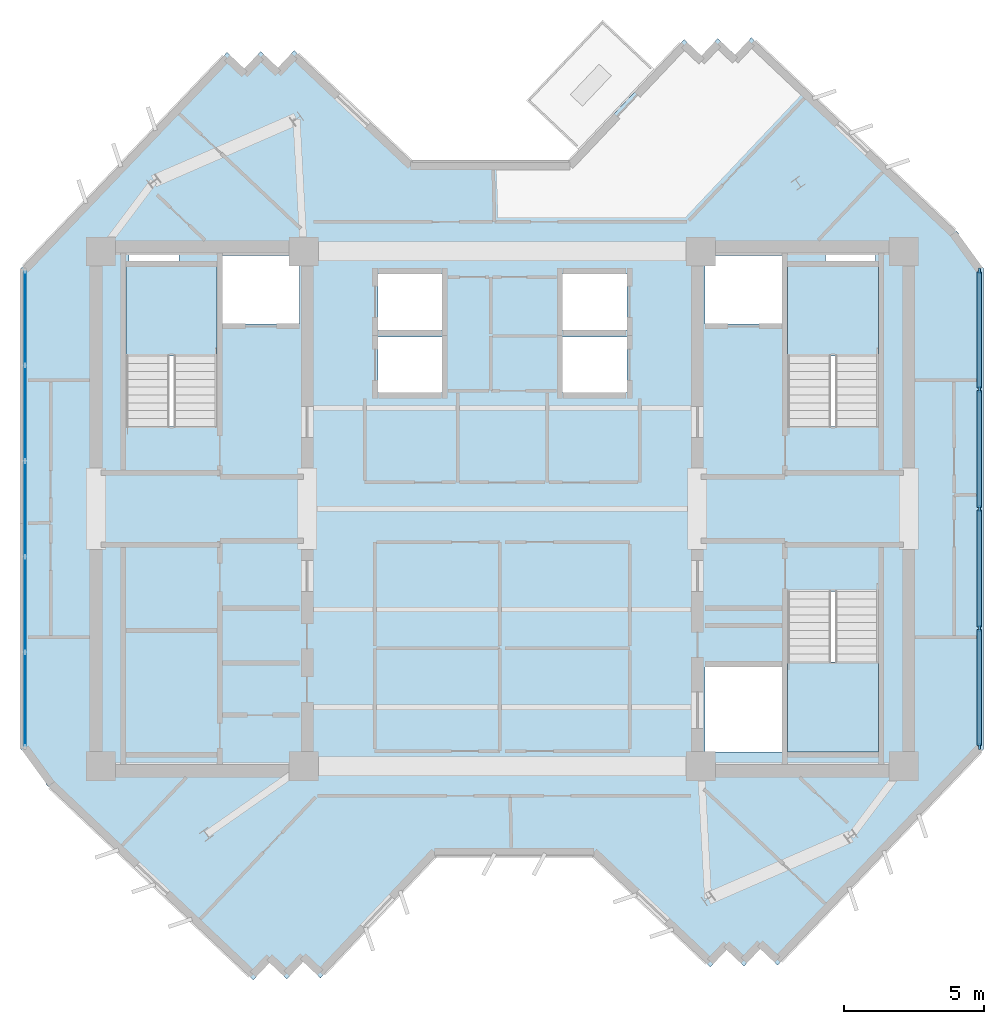
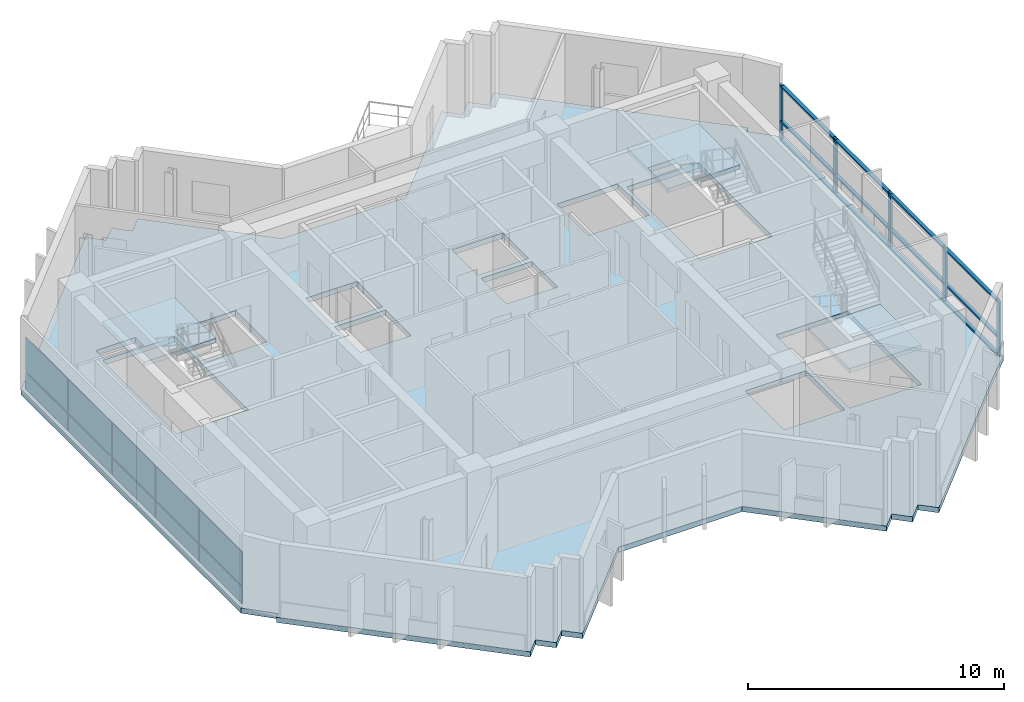
# One storey, part 2 of 9: 17 members, 10 plates, 4 slabs, 5 elements without a shape of their own.
"""IFC4 building model written with IfcOpenShell, lengths in metres."""

from ifc_helpers import new_model, si_unit, direction, frame, origin, origin_2d, place, context, subcontext, project, spatial, polyline, rectangle, outline, extrude, source, transform, mapped, material, layer, layer_set, material_profile, profile_set, type_object, element, aggregate, save


model = new_model("IFC4")

# Units and contexts
model_context = context("Model", 3, precision=1e-05, world=origin(), true_north=direction((0.0, 1.0)))
body_context = subcontext(model_context, "Body", "Model", "MODEL_VIEW")
ifc_project = project(units=[si_unit("LENGTHUNIT", "METRE"), si_unit("AREAUNIT", "SQUARE_METRE"), si_unit("VOLUMEUNIT", "CUBIC_METRE"), si_unit("PLANEANGLEUNIT", "RADIAN"), si_unit("MASSUNIT", "GRAM", prefix="KILO")], contexts=[model_context])

# Site, building, storey
site_placement = place(None, origin())
site = spatial("IfcSite", under=ifc_project, at=site_placement, CompositionType="ELEMENT")
building_placement = place(site_placement, origin())
building = spatial("IfcBuilding", under=site, at=building_placement, Name="Zahravan Cultural Tower", CompositionType="ELEMENT")
storey_placement = place(building_placement, frame((0.0, 0.0, 306.60009765625)))
storey = spatial("IfcBuildingStorey", under=building, at=storey_placement, Name="L74", CompositionType="ELEMENT", Elevation=306.60009765625)

# Curtain wall, members
ifc_material_1 = material(Name="Anodised bronze-aluminium mullion", Category="aluminium")
ifc_layer_1 = layer(ifc_material_1, 0.219970703125)
ifc_layer_set_1 = layer_set([ifc_layer_1], Name="Anodised bronze-aluminium mullion")
curtain_wall_type_1 = type_object("IfcCurtainWallType", Name="CW-SYS-1", PredefinedType="USERDEFINED", material=ifc_layer_set_1)
curtain_wall_1_placement = place(storey_placement, origin())
curtain_wall_1 = element("IfcCurtainWall", 1, at=curtain_wall_1_placement, inside=storey, type_object=curtain_wall_type_1, Name="L74 Recessed Curtain Wall CW-1.1", ObjectType="RECESSED GLAZING", PredefinedType="USERDEFINED")
ifc_material_profile_1 = material_profile(ifc_material_1, rectangle(XDim=0.080078125, YDim=0.219970703125, at=origin_2d()), Name="AL-M80X220")
ifc_profile_set_1 = profile_set([ifc_material_profile_1], Name="Anodised bronze-aluminium mullion")
member_type_1 = type_object("IfcMemberType", Name="CWM-CW-1", PredefinedType="MULLION", material=ifc_profile_set_1)
shared_shape_1 = source(origin(), body_context, "Body", "SweptSolid", [
    extrude(rectangle(XDim=0.080078125, YDim=0.219970703125, at=origin_2d()), origin(), (0.0, 0.0, 1.0), 2.619873046875),
])
member_1_placement = place(storey_placement, frame((53.06005859375, 35.501953125, 0.0), z_axis=(0.0, 0.0, 1.0), x_axis=(1.0, 0.0, 0.0)))
member_1 = element("IfcMember", 2, at=member_1_placement, type_object=member_type_1, Name="CW-1 mullion 1", PredefinedType="MULLION", context=body_context, shape_type="MappedRepresentation", body=[
    mapped(shared_shape_1, transform((0.0, 0.0, 0.0), x_axis=(1.0, 0.0, 0.0), y_axis=(0.0, 1.0, 0.0), z_axis=(0.0, 0.0, 1.0), scale=1.0)),
])
member_2_placement = place(storey_placement, frame((53.06005859375, 31.27099609375, 0.0), z_axis=(0.0, 0.0, 1.0), x_axis=(1.0, 0.0, 0.0)))
member_2 = element("IfcMember", 3, at=member_2_placement, type_object=member_type_1, Name="CW-1 mullion 2", PredefinedType="MULLION", context=body_context, shape_type="MappedRepresentation", body=[
    mapped(shared_shape_1, transform((0.0, 0.0, 0.0), x_axis=(1.0, 0.0, 0.0), y_axis=(0.0, 1.0, 0.0), z_axis=(0.0, 0.0, 1.0), scale=1.0)),
])
member_3_placement = place(storey_placement, frame((53.06005859375, 27.0, 0.0), z_axis=(0.0, 0.0, 1.0), x_axis=(1.0, 0.0, 0.0)))
member_3 = element("IfcMember", 4, at=member_3_placement, type_object=member_type_1, Name="CW-1 mullion 3", PredefinedType="MULLION", context=body_context, shape_type="MappedRepresentation", body=[
    mapped(shared_shape_1, transform((0.0, 0.0, 0.0), x_axis=(1.0, 0.0, 0.0), y_axis=(0.0, 1.0, 0.0), z_axis=(0.0, 0.0, 1.0), scale=1.0)),
])
member_4_placement = place(storey_placement, frame((53.06005859375, 22.72900390625, 0.0), z_axis=(0.0, 0.0, 1.0), x_axis=(1.0, 0.0, 0.0)))
member_4 = element("IfcMember", 5, at=member_4_placement, type_object=member_type_1, Name="CW-1 mullion 4", PredefinedType="MULLION", context=body_context, shape_type="MappedRepresentation", body=[
    mapped(shared_shape_1, transform((0.0, 0.0, 0.0), x_axis=(1.0, 0.0, 0.0), y_axis=(0.0, 1.0, 0.0), z_axis=(0.0, 0.0, 1.0), scale=1.0)),
])
member_5_placement = place(storey_placement, frame((53.06005859375, 18.498046875, 0.0), z_axis=(0.0, 0.0, 1.0), x_axis=(1.0, 0.0, 0.0)))
member_5 = element("IfcMember", 6, at=member_5_placement, type_object=member_type_1, Name="CW-1 mullion 5", PredefinedType="MULLION", context=body_context, shape_type="MappedRepresentation", body=[
    mapped(shared_shape_1, transform((0.0, 0.0, 0.0), x_axis=(1.0, 0.0, 0.0), y_axis=(0.0, 1.0, 0.0), z_axis=(0.0, 0.0, 1.0), scale=1.0)),
])
ifc_material_profile_2 = material_profile(ifc_material_1, rectangle(XDim=0.159912109375, YDim=0.080078125, at=origin_2d()), Name="AL-T80X160")
ifc_profile_set_2 = profile_set([ifc_material_profile_2], Name="Anodised bronze-aluminium mullion")
member_type_2 = type_object("IfcMemberType", Name="CWT-CW-1", PredefinedType="USERDEFINED", material=ifc_profile_set_2)
shared_shape_2 = source(origin(), body_context, "Body", "SweptSolid", [
    extrude(rectangle(XDim=0.159912109375, YDim=0.080078125, at=origin_2d()), origin(), (0.0, 0.0, 1.0), 4.15087890625),
])
member_6_placement = place(storey_placement, frame((53.06005859375, 35.4619140625, 0.039794921875), z_axis=(0.0, -1.0, 0.0), x_axis=(1.0, 0.0, 0.0)))
member_6 = element("IfcMember", 7, at=member_6_placement, type_object=member_type_2, Name="CW-1 transom 1.1", ObjectType="TRANSOM", PredefinedType="USERDEFINED", context=body_context, shape_type="MappedRepresentation", body=[
    mapped(shared_shape_2, transform((0.0, 0.0, 0.0), x_axis=(1.0, 0.0, 0.0), y_axis=(0.0, 1.0, 0.0), z_axis=(0.0, 0.0, 1.0), scale=1.0)),
])
member_7_placement = place(storey_placement, frame((53.06005859375, 35.4619140625, 0.89990234375), z_axis=(0.0, -1.0, 0.0), x_axis=(1.0, 0.0, 0.0)))
member_7 = element("IfcMember", 8, at=member_7_placement, type_object=member_type_2, Name="CW-1 transom 1.2", ObjectType="TRANSOM", PredefinedType="USERDEFINED", context=body_context, shape_type="MappedRepresentation", body=[
    mapped(shared_shape_2, transform((0.0, 0.0, 0.0), x_axis=(1.0, 0.0, 0.0), y_axis=(0.0, 1.0, 0.0), z_axis=(0.0, 0.0, 1.0), scale=1.0)),
])
member_8_placement = place(storey_placement, frame((53.06005859375, 35.4619140625, 2.579833984375), z_axis=(0.0, -1.0, 0.0), x_axis=(1.0, 0.0, 0.0)))
member_8 = element("IfcMember", 9, at=member_8_placement, type_object=member_type_2, Name="CW-1 transom 1.3", ObjectType="TRANSOM", PredefinedType="USERDEFINED", context=body_context, shape_type="MappedRepresentation", body=[
    mapped(shared_shape_2, transform((0.0, 0.0, 0.0), x_axis=(1.0, 0.0, 0.0), y_axis=(0.0, 1.0, 0.0), z_axis=(0.0, 0.0, 1.0), scale=1.0)),
])
member_9_placement = place(storey_placement, frame((53.06005859375, 22.68896484375, 0.039794921875), z_axis=(0.0, -1.0, 0.0), x_axis=(1.0, 0.0, 0.0)))
member_9 = element("IfcMember", 10, at=member_9_placement, type_object=member_type_2, Name="CW-1 transom 4.1", ObjectType="TRANSOM", PredefinedType="USERDEFINED", context=body_context, shape_type="MappedRepresentation", body=[
    mapped(shared_shape_2, transform((0.0, 0.0, 0.0), x_axis=(1.0, 0.0, 0.0), y_axis=(0.0, 1.0, 0.0), z_axis=(0.0, 0.0, 1.0), scale=1.0)),
])
member_10_placement = place(storey_placement, frame((53.06005859375, 22.68896484375, 0.89990234375), z_axis=(0.0, -1.0, 0.0), x_axis=(1.0, 0.0, 0.0)))
member_10 = element("IfcMember", 11, at=member_10_placement, type_object=member_type_2, Name="CW-1 transom 4.2", ObjectType="TRANSOM", PredefinedType="USERDEFINED", context=body_context, shape_type="MappedRepresentation", body=[
    mapped(shared_shape_2, transform((0.0, 0.0, 0.0), x_axis=(1.0, 0.0, 0.0), y_axis=(0.0, 1.0, 0.0), z_axis=(0.0, 0.0, 1.0), scale=1.0)),
])
member_11_placement = place(storey_placement, frame((53.06005859375, 22.68896484375, 2.579833984375), z_axis=(0.0, -1.0, 0.0), x_axis=(1.0, 0.0, 0.0)))
member_11 = element("IfcMember", 12, at=member_11_placement, type_object=member_type_2, Name="CW-1 transom 4.3", ObjectType="TRANSOM", PredefinedType="USERDEFINED", context=body_context, shape_type="MappedRepresentation", body=[
    mapped(shared_shape_2, transform((0.0, 0.0, 0.0), x_axis=(1.0, 0.0, 0.0), y_axis=(0.0, 1.0, 0.0), z_axis=(0.0, 0.0, 1.0), scale=1.0)),
])
shared_shape_3 = source(origin(), body_context, "Body", "SweptSolid", [
    extrude(rectangle(XDim=0.159912109375, YDim=0.080078125, at=origin_2d()), origin(), (0.0, 0.0, 1.0), 4.19091796875),
])
member_12_placement = place(storey_placement, frame((53.06005859375, 31.23095703125, 0.039794921875), z_axis=(0.0, -1.0, 0.0), x_axis=(1.0, 0.0, 0.0)))
member_12 = element("IfcMember", 13, at=member_12_placement, type_object=member_type_2, Name="CW-1 transom 2.1", ObjectType="TRANSOM", PredefinedType="USERDEFINED", context=body_context, shape_type="MappedRepresentation", body=[
    mapped(shared_shape_3, transform((0.0, 0.0, 0.0), x_axis=(1.0, 0.0, 0.0), y_axis=(0.0, 1.0, 0.0), z_axis=(0.0, 0.0, 1.0), scale=1.0)),
])
member_13_placement = place(storey_placement, frame((53.06005859375, 31.23095703125, 0.89990234375), z_axis=(0.0, -1.0, 0.0), x_axis=(1.0, 0.0, 0.0)))
member_13 = element("IfcMember", 14, at=member_13_placement, type_object=member_type_2, Name="CW-1 transom 2.2", ObjectType="TRANSOM", PredefinedType="USERDEFINED", context=body_context, shape_type="MappedRepresentation", body=[
    mapped(shared_shape_3, transform((0.0, 0.0, 0.0), x_axis=(1.0, 0.0, 0.0), y_axis=(0.0, 1.0, 0.0), z_axis=(0.0, 0.0, 1.0), scale=1.0)),
])
member_14_placement = place(storey_placement, frame((53.06005859375, 31.23095703125, 2.579833984375), z_axis=(0.0, -1.0, 0.0), x_axis=(1.0, 0.0, 0.0)))
member_14 = element("IfcMember", 15, at=member_14_placement, type_object=member_type_2, Name="CW-1 transom 2.3", ObjectType="TRANSOM", PredefinedType="USERDEFINED", context=body_context, shape_type="MappedRepresentation", body=[
    mapped(shared_shape_3, transform((0.0, 0.0, 0.0), x_axis=(1.0, 0.0, 0.0), y_axis=(0.0, 1.0, 0.0), z_axis=(0.0, 0.0, 1.0), scale=1.0)),
])
member_15_placement = place(storey_placement, frame((53.06005859375, 26.9599609375, 0.039794921875), z_axis=(0.0, -1.0, 0.0), x_axis=(1.0, 0.0, 0.0)))
member_15 = element("IfcMember", 16, at=member_15_placement, type_object=member_type_2, Name="CW-1 transom 3.1", ObjectType="TRANSOM", PredefinedType="USERDEFINED", context=body_context, shape_type="MappedRepresentation", body=[
    mapped(shared_shape_3, transform((0.0, 0.0, 0.0), x_axis=(1.0, 0.0, 0.0), y_axis=(0.0, 1.0, 0.0), z_axis=(0.0, 0.0, 1.0), scale=1.0)),
])
member_16_placement = place(storey_placement, frame((53.06005859375, 26.9599609375, 0.89990234375), z_axis=(0.0, -1.0, 0.0), x_axis=(1.0, 0.0, 0.0)))
member_16 = element("IfcMember", 17, at=member_16_placement, type_object=member_type_2, Name="CW-1 transom 3.2", ObjectType="TRANSOM", PredefinedType="USERDEFINED", context=body_context, shape_type="MappedRepresentation", body=[
    mapped(shared_shape_3, transform((0.0, 0.0, 0.0), x_axis=(1.0, 0.0, 0.0), y_axis=(0.0, 1.0, 0.0), z_axis=(0.0, 0.0, 1.0), scale=1.0)),
])
member_17_placement = place(storey_placement, frame((53.06005859375, 26.9599609375, 2.579833984375), z_axis=(0.0, -1.0, 0.0), x_axis=(1.0, 0.0, 0.0)))
member_17 = element("IfcMember", 18, at=member_17_placement, type_object=member_type_2, Name="CW-1 transom 3.3", ObjectType="TRANSOM", PredefinedType="USERDEFINED", context=body_context, shape_type="MappedRepresentation", body=[
    mapped(shared_shape_3, transform((0.0, 0.0, 0.0), x_axis=(1.0, 0.0, 0.0), y_axis=(0.0, 1.0, 0.0), z_axis=(0.0, 0.0, 1.0), scale=1.0)),
])
aggregate(curtain_wall_1, [member_1, member_2, member_3, member_4, member_5, member_6, member_7, member_8, member_12, member_13, member_14, member_15, member_16, member_17, member_9, member_10, member_11])

# Stair, slab
ifc_material_2 = material(Name="Concrete C45/55", Category="concrete")
stair_type = type_object("IfcStairType", Name="STR-DL-1550-375", PredefinedType="HALF_TURN_STAIR", material=ifc_material_2)
stair_1_placement = place(storey_placement, origin())
stair_1 = element("IfcStair", 19, at=stair_1_placement, inside=storey, type_object=stair_type, Name="L74 West Core North Exit Stair ST-W1", PredefinedType="HALF_TURN_STAIR")
ifc_layer_2 = layer(ifc_material_2, 0.199951171875)
ifc_layer_set_2 = layer_set([ifc_layer_2], Name="Concrete C45/55")
slab_type_1 = type_object("IfcSlabType", Name="SL-STAIR-LND200", PredefinedType="LANDING", material=ifc_layer_set_2)
slab_1_placement = place(storey_placement, frame((0.0, 0.0, 1.6748046875)))
slab_1 = element("IfcSlab", 20, at=slab_1_placement, type_object=slab_type_1, Name="ST-W1 landing 1", PredefinedType="LANDING", context=body_context, shape_type="SweptSolid", body=[
    extrude(outline(polyline([(25.800048828125, 32.469970703125), (25.800048828125, 35.699951171875), (22.550048828125, 35.699951171875), (22.550048828125, 32.469970703125), (25.800048828125, 32.469970703125)])), origin(), (0.0, 0.0, 1.0), 0.2001953125),
])
aggregate(stair_1, [slab_1])

stair_2_placement = place(storey_placement, origin())
stair_2 = element("IfcStair", 21, at=stair_2_placement, inside=storey, type_object=stair_type, Name="L74 East Core North Exit Stair ST-E1", PredefinedType="HALF_TURN_STAIR")
slab_2_placement = place(storey_placement, frame((0.0, 0.0, 1.6748046875)))
slab_2 = element("IfcSlab", 22, at=slab_2_placement, type_object=slab_type_1, Name="ST-E1 landing 1", PredefinedType="LANDING", context=body_context, shape_type="SweptSolid", body=[
    extrude(outline(polyline([(49.449951171875, 32.469970703125), (49.449951171875, 35.699951171875), (46.199951171875, 35.699951171875), (46.199951171875, 32.469970703125), (49.449951171875, 32.469970703125)])), origin(), (0.0, 0.0, 1.0), 0.2001953125),
])
aggregate(stair_2, [slab_2])

stair_3_placement = place(storey_placement, origin())
stair_3 = element("IfcStair", 23, at=stair_3_placement, inside=storey, type_object=stair_type, Name="L74 East Core South Exit Stair ST-E2", PredefinedType="HALF_TURN_STAIR")
slab_3_placement = place(storey_placement, frame((0.0, 0.0, 1.6748046875)))
slab_3 = element("IfcSlab", 24, at=slab_3_placement, type_object=slab_type_1, Name="ST-E2 landing 1", PredefinedType="LANDING", context=body_context, shape_type="SweptSolid", body=[
    extrude(outline(polyline([(46.199951171875, 21.530029296875), (46.199951171875, 18.300048828125), (49.449951171875, 18.300048828125), (49.449951171875, 21.530029296875), (46.199951171875, 21.530029296875)])), origin(), (0.0, 0.0, 1.0), 0.2001953125),
])
aggregate(stair_3, [slab_3])

# Slab
ifc_material_3 = material(Name="Concrete C40/50", Category="concrete")
ifc_layer_3 = layer(ifc_material_3, 0.25)
ifc_layer_set_3 = layer_set([ifc_layer_3], Name="Concrete C40/50")
slab_type_2 = type_object("IfcSlabType", Name="SL-TYP-250", PredefinedType="FLOOR", material=ifc_layer_set_3)
slab_4_placement = place(storey_placement, frame((0.0, 0.0, -0.25)))
element("IfcSlab", 25, at=slab_4_placement, inside=storey, type_object=slab_type_2, Name="L74 Structural Floor Slab", PredefinedType="FLOOR", context=body_context, shape_type="SweptSolid", body=[
    extrude(outline(polyline([(38.36279296875, 39.39990234375), (32.779541015625, 39.39990234375), (28.562744140625, 43.385498046875), (27.978759765625, 42.767578125), (27.361083984375, 43.3515625), (26.777099609375, 42.733642578125), (26.159423828125, 43.317626953125), (19.99365234375, 36.793701171875), (18.800048828125, 35.60009765625), (18.800048828125, 18.39990234375), (19.8564453125, 17.343505859375), (19.682373046875, 17.159423828125), (27.095458984375, 10.1533203125), (27.679443359375, 10.77099609375), (28.297119140625, 10.187255859375), (28.881103515625, 10.804931640625), (29.498779296875, 10.22119140625), (33.63720703125, 14.60009765625), (39.220458984375, 14.60009765625), (43.437255859375, 10.614501953125), (44.021240234375, 11.232421875), (44.638916015625, 10.6484375), (45.222900390625, 11.266357421875), (45.840576171875, 10.682373046875), (52.00634765625, 17.206298828125), (53.199951171875, 18.39990234375), (53.199951171875, 35.60009765625), (52.1435546875, 36.656494140625), (52.317626953125, 36.840576171875), (44.904541015625, 43.8466796875), (44.320556640625, 43.22900390625), (43.702880859375, 43.812744140625), (43.118896484375, 43.195068359375), (42.501220703125, 43.77880859375), (38.36279296875, 39.39990234375)]), holes=[polyline([(22.550048828125, 29.949951171875), (22.550048828125, 35.699951171875), (25.800048828125, 35.699951171875), (25.800048828125, 29.949951171875), (22.550048828125, 29.949951171875)]), polyline([(46.199951171875, 29.949951171875), (46.199951171875, 35.699951171875), (49.449951171875, 35.699951171875), (49.449951171875, 29.949951171875), (46.199951171875, 29.949951171875)]), polyline([(46.199951171875, 18.300048828125), (46.199951171875, 24.050048828125), (49.449951171875, 24.050048828125), (49.449951171875, 18.300048828125), (46.199951171875, 18.300048828125)]), polyline([(26.0, 33.60009765625), (26.0, 36.050048828125), (28.75, 36.050048828125), (28.75, 33.60009765625), (26.0, 33.60009765625)]), polyline([(43.25, 33.60009765625), (43.25, 36.050048828125), (46.0, 36.050048828125), (46.0, 33.60009765625), (43.25, 33.60009765625)]), polyline([(43.25, 18.300048828125), (43.25, 21.35009765625), (46.0, 21.35009765625), (46.0, 18.300048828125), (43.25, 18.300048828125)]), polyline([(31.550048828125, 33.39990234375), (31.550048828125, 35.39990234375), (33.85009765625, 35.39990234375), (33.85009765625, 33.39990234375), (31.550048828125, 33.39990234375)]), polyline([(31.550048828125, 31.14990234375), (31.550048828125, 33.14990234375), (33.85009765625, 33.14990234375), (33.85009765625, 31.14990234375), (31.550048828125, 31.14990234375)]), polyline([(38.14990234375, 33.39990234375), (38.14990234375, 35.39990234375), (40.449951171875, 35.39990234375), (40.449951171875, 33.39990234375), (38.14990234375, 33.39990234375)]), polyline([(38.14990234375, 31.14990234375), (38.14990234375, 33.14990234375), (40.449951171875, 33.14990234375), (40.449951171875, 31.14990234375), (38.14990234375, 31.14990234375)]), polyline([(22.64990234375, 35.800048828125), (22.64990234375, 36.419921875), (24.449951171875, 36.419921875), (24.449951171875, 35.800048828125), (22.64990234375, 35.800048828125)]), polyline([(47.550048828125, 35.800048828125), (47.550048828125, 36.419921875), (49.35009765625, 36.419921875), (49.35009765625, 35.800048828125), (47.550048828125, 35.800048828125)])]), origin(), (0.0, 0.0, 1.0), 0.25),
])

# Curtain wall, plates
ifc_layer_4 = layer(ifc_material_1, 0.199951171875)
ifc_layer_set_4 = layer_set([ifc_layer_4], Name="Anodised bronze-aluminium mullion")
curtain_wall_type_2 = type_object("IfcCurtainWallType", Name="CW-SYS-2", PredefinedType="USERDEFINED", material=ifc_layer_set_4)
curtain_wall_2_placement = place(storey_placement, origin())
curtain_wall_2 = element("IfcCurtainWall", 26, at=curtain_wall_2_placement, inside=storey, type_object=curtain_wall_type_2, Name="L74 Recessed Curtain Wall CW-2.2", ObjectType="RECESSED GLAZING", PredefinedType="USERDEFINED")
ifc_material_4 = material(Name="Low-E solar-control double glazing", Category="glass")
ifc_layer_5 = layer(ifc_material_4, 0.030029296875)
ifc_layer_set_5 = layer_set([ifc_layer_5], Name="Low-E solar-control double glazing")
plate_type = type_object("IfcPlateType", Name="CWP-CW-2", PredefinedType="CURTAIN_PANEL", material=ifc_layer_set_5)
shared_shape_4 = source(origin(), body_context, "Body", "SweptSolid", [
    extrude(rectangle(XDim=3.30419921875, YDim=0.030029296875, at=origin_2d()), origin(), (0.0, 0.0, 1.0), 0.78759765625),
])
plate_1_placement = place(storey_placement, frame((18.93994140625, 20.18505859375, 0.074951171875), z_axis=(0.0, 0.0, 1.0), x_axis=(0.0, 1.0, 0.0)))
plate_1 = element("IfcPlate", 27, at=plate_1_placement, type_object=plate_type, Name="CW-2 panel 1.1", PredefinedType="CURTAIN_PANEL", context=body_context, shape_type="MappedRepresentation", body=[
    mapped(shared_shape_4, transform((0.0, 0.0, 0.0), x_axis=(1.0, 0.0, 0.0), y_axis=(0.0, 1.0, 0.0), z_axis=(0.0, 0.0, 1.0), scale=1.0)),
])
plate_2_placement = place(storey_placement, frame((18.93994140625, 33.81494140625, 0.074951171875), z_axis=(0.0, 0.0, 1.0), x_axis=(0.0, 1.0, 0.0)))
plate_2 = element("IfcPlate", 28, at=plate_2_placement, type_object=plate_type, Name="CW-2 panel 5.1", PredefinedType="CURTAIN_PANEL", context=body_context, shape_type="MappedRepresentation", body=[
    mapped(shared_shape_4, transform((0.0, 0.0, 0.0), x_axis=(1.0, 0.0, 0.0), y_axis=(0.0, 1.0, 0.0), z_axis=(0.0, 0.0, 1.0), scale=1.0)),
])
shared_shape_5 = source(origin(), body_context, "Body", "SweptSolid", [
    extrude(rectangle(XDim=3.30419921875, YDim=0.030029296875, at=origin_2d()), origin(), (0.0, 0.0, 1.0), 1.607421875),
])
plate_3_placement = place(storey_placement, frame((18.93994140625, 20.18505859375, 0.9375), z_axis=(0.0, 0.0, 1.0), x_axis=(0.0, 1.0, 0.0)))
plate_3 = element("IfcPlate", 29, at=plate_3_placement, type_object=plate_type, Name="CW-2 panel 1.2", PredefinedType="CURTAIN_PANEL", context=body_context, shape_type="MappedRepresentation", body=[
    mapped(shared_shape_5, transform((0.0, 0.0, 0.0), x_axis=(1.0, 0.0, 0.0), y_axis=(0.0, 1.0, 0.0), z_axis=(0.0, 0.0, 1.0), scale=1.0)),
])
plate_4_placement = place(storey_placement, frame((18.93994140625, 33.81494140625, 0.9375), z_axis=(0.0, 0.0, 1.0), x_axis=(0.0, 1.0, 0.0)))
plate_4 = element("IfcPlate", 30, at=plate_4_placement, type_object=plate_type, Name="CW-2 panel 5.2", PredefinedType="CURTAIN_PANEL", context=body_context, shape_type="MappedRepresentation", body=[
    mapped(shared_shape_5, transform((0.0, 0.0, 0.0), x_axis=(1.0, 0.0, 0.0), y_axis=(0.0, 1.0, 0.0), z_axis=(0.0, 0.0, 1.0), scale=1.0)),
])
shared_shape_6 = source(origin(), body_context, "Body", "SweptSolid", [
    extrude(rectangle(XDim=3.341796875, YDim=0.030029296875, at=origin_2d()), origin(), (0.0, 0.0, 1.0), 0.78759765625),
])
plate_5_placement = place(storey_placement, frame((18.93994140625, 23.583251953125, 0.074951171875), z_axis=(0.0, 0.0, 1.0), x_axis=(0.0, 1.0, 0.0)))
plate_5 = element("IfcPlate", 31, at=plate_5_placement, type_object=plate_type, Name="CW-2 panel 2.1", PredefinedType="CURTAIN_PANEL", context=body_context, shape_type="MappedRepresentation", body=[
    mapped(shared_shape_6, transform((0.0, 0.0, 0.0), x_axis=(1.0, 0.0, 0.0), y_axis=(0.0, 1.0, 0.0), z_axis=(0.0, 0.0, 1.0), scale=1.0)),
])
plate_6_placement = place(storey_placement, frame((18.93994140625, 27.0, 0.074951171875), z_axis=(0.0, 0.0, 1.0), x_axis=(0.0, 1.0, 0.0)))
plate_6 = element("IfcPlate", 32, at=plate_6_placement, type_object=plate_type, Name="CW-2 panel 3.1", PredefinedType="CURTAIN_PANEL", context=body_context, shape_type="MappedRepresentation", body=[
    mapped(shared_shape_6, transform((0.0, 0.0, 0.0), x_axis=(1.0, 0.0, 0.0), y_axis=(0.0, 1.0, 0.0), z_axis=(0.0, 0.0, 1.0), scale=1.0)),
])
plate_7_placement = place(storey_placement, frame((18.93994140625, 30.416748046875, 0.074951171875), z_axis=(0.0, 0.0, 1.0), x_axis=(0.0, 1.0, 0.0)))
plate_7 = element("IfcPlate", 33, at=plate_7_placement, type_object=plate_type, Name="CW-2 panel 4.1", PredefinedType="CURTAIN_PANEL", context=body_context, shape_type="MappedRepresentation", body=[
    mapped(shared_shape_6, transform((0.0, 0.0, 0.0), x_axis=(1.0, 0.0, 0.0), y_axis=(0.0, 1.0, 0.0), z_axis=(0.0, 0.0, 1.0), scale=1.0)),
])
shared_shape_7 = source(origin(), body_context, "Body", "SweptSolid", [
    extrude(rectangle(XDim=3.341796875, YDim=0.030029296875, at=origin_2d()), origin(), (0.0, 0.0, 1.0), 1.607421875),
])
plate_8_placement = place(storey_placement, frame((18.93994140625, 23.583251953125, 0.9375), z_axis=(0.0, 0.0, 1.0), x_axis=(0.0, 1.0, 0.0)))
plate_8 = element("IfcPlate", 34, at=plate_8_placement, type_object=plate_type, Name="CW-2 panel 2.2", PredefinedType="CURTAIN_PANEL", context=body_context, shape_type="MappedRepresentation", body=[
    mapped(shared_shape_7, transform((0.0, 0.0, 0.0), x_axis=(1.0, 0.0, 0.0), y_axis=(0.0, 1.0, 0.0), z_axis=(0.0, 0.0, 1.0), scale=1.0)),
])
plate_9_placement = place(storey_placement, frame((18.93994140625, 27.0, 0.9375), z_axis=(0.0, 0.0, 1.0), x_axis=(0.0, 1.0, 0.0)))
plate_9 = element("IfcPlate", 35, at=plate_9_placement, type_object=plate_type, Name="CW-2 panel 3.2", PredefinedType="CURTAIN_PANEL", context=body_context, shape_type="MappedRepresentation", body=[
    mapped(shared_shape_7, transform((0.0, 0.0, 0.0), x_axis=(1.0, 0.0, 0.0), y_axis=(0.0, 1.0, 0.0), z_axis=(0.0, 0.0, 1.0), scale=1.0)),
])
plate_10_placement = place(storey_placement, frame((18.93994140625, 30.416748046875, 0.9375), z_axis=(0.0, 0.0, 1.0), x_axis=(0.0, 1.0, 0.0)))
plate_10 = element("IfcPlate", 36, at=plate_10_placement, type_object=plate_type, Name="CW-2 panel 4.2", PredefinedType="CURTAIN_PANEL", context=body_context, shape_type="MappedRepresentation", body=[
    mapped(shared_shape_7, transform((0.0, 0.0, 0.0), x_axis=(1.0, 0.0, 0.0), y_axis=(0.0, 1.0, 0.0), z_axis=(0.0, 0.0, 1.0), scale=1.0)),
])
aggregate(curtain_wall_2, [plate_1, plate_3, plate_5, plate_8, plate_6, plate_9, plate_7, plate_10, plate_2, plate_4])

save(model, "model.ifc")
